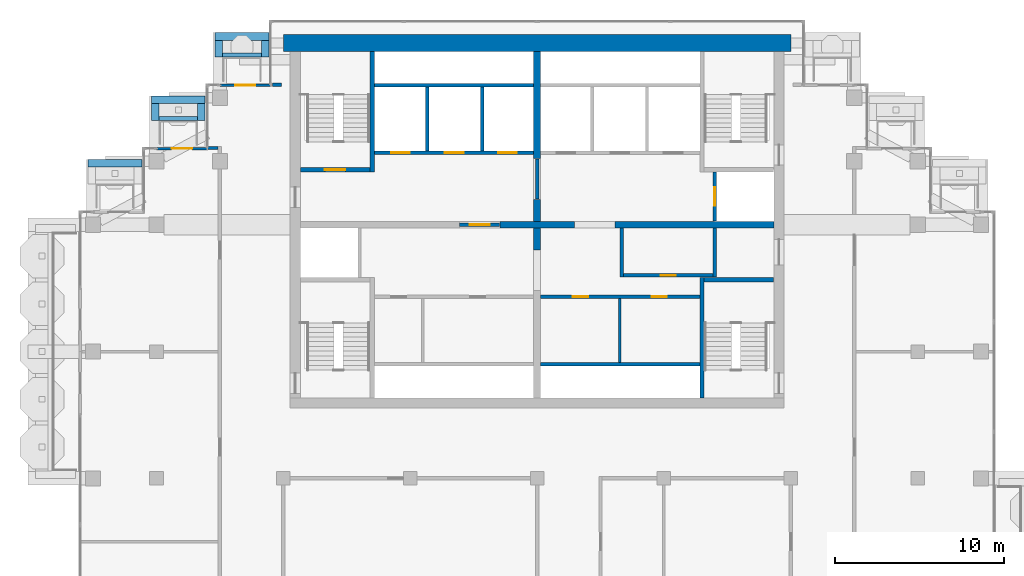
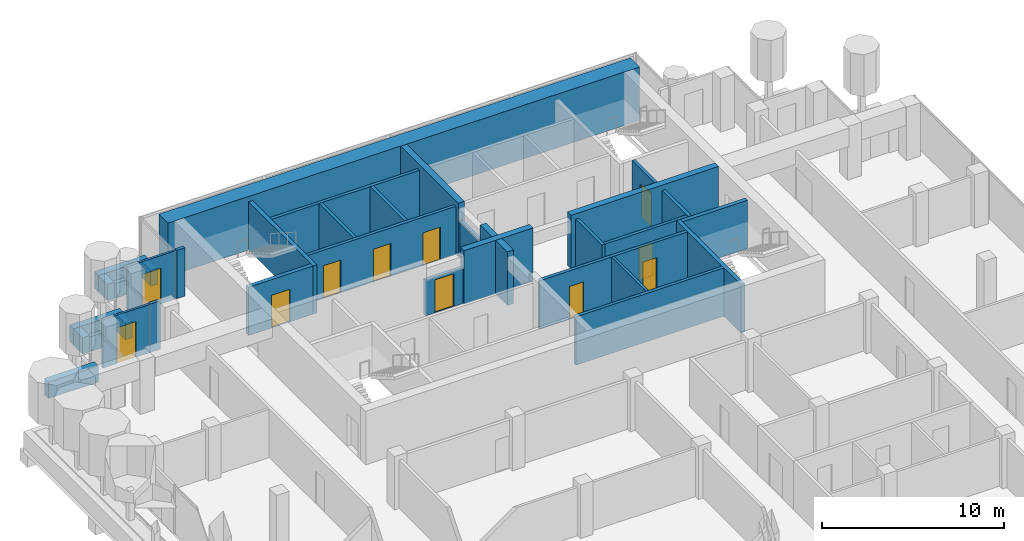
# One storey, part 13 of 18: 36 walls, 11 doors, 11 openings.
"""IFC4 building model written with IfcOpenShell, lengths in metres."""

from ifc_helpers import new_model, si_unit, direction, frame, frame_2d, origin, place, context, subcontext, project, spatial, rectangle, extrude, material, layer, layer_set, type_object, element, fill, save


model = new_model("IFC4")

# Units and contexts
model_context = context("Model", 3, precision=1e-05, world=origin(), true_north=direction((0.0, 1.0)))
body_context = subcontext(model_context, "Body", "Model", "MODEL_VIEW")
ifc_project = project(units=[si_unit("LENGTHUNIT", "METRE"), si_unit("AREAUNIT", "SQUARE_METRE"), si_unit("VOLUMEUNIT", "CUBIC_METRE"), si_unit("PLANEANGLEUNIT", "RADIAN"), si_unit("MASSUNIT", "GRAM", prefix="KILO")], contexts=[model_context])

# Site, building, storey
site_placement = place(None, origin())
site = spatial("IfcSite", under=ifc_project, at=site_placement, CompositionType="ELEMENT")
building_placement = place(site_placement, origin())
building = spatial("IfcBuilding", under=site, at=building_placement, Name="Pilkhan Gate Tower", CompositionType="ELEMENT")
storey_placement = place(building_placement, frame((0.0, 0.0, 249.89990234375)))
storey = spatial("IfcBuildingStorey", under=building, at=storey_placement, Name="L65", CompositionType="ELEMENT", Elevation=249.89990234375)

# Walls
ifc_material_1 = material(Name="Concrete C40/50", Category="concrete")
ifc_layer_1 = layer(ifc_material_1, 0.25)
ifc_layer_set_1 = layer_set([ifc_layer_1], Name="Balcony planter BP250")
wall_type_1 = type_object("IfcWallType", Name="Balcony planter BP250", PredefinedType="USERDEFINED", material=ifc_layer_set_1)
wall_1_placement = place(storey_placement, frame((56.39990234375, 92.52490234375, 0.0), z_axis=(0.0, 0.0, 1.0), x_axis=(1.0, 0.0, 0.0)))
element("IfcWall", 1, at=wall_1_placement, inside=storey, type_object=wall_type_1, Name="Balcony planter L65 N", ObjectType="BALCONY PLANTER", PredefinedType="USERDEFINED", context=body_context, shape_type="SweptSolid", body=[
    extrude(rectangle(XDim=2.300048828125, YDim=0.25, at=frame_2d((1.14990234375, 0.0))), origin(), (0.0, 0.0, 1.0), 1.0),
])
wall_2_placement = place(storey_placement, frame((52.64990234375, 88.77490234375, 0.0), z_axis=(0.0, 0.0, 1.0), x_axis=(1.0, 0.0, 0.0)))
element("IfcWall", 2, at=wall_2_placement, inside=storey, type_object=wall_type_1, Name="Balcony planter L65 N", ObjectType="BALCONY PLANTER", PredefinedType="USERDEFINED", context=body_context, shape_type="SweptSolid", body=[
    extrude(rectangle(XDim=2.280029296875, YDim=0.25, at=frame_2d((1.14013671875, 0.0))), origin(), (0.0, 0.0, 1.0), 1.0),
])
ifc_material_2 = material(Name="Board-marked Concrete C40/50", Category="concrete")
ifc_layer_2 = layer(ifc_material_2, 0.449951171875)
ifc_layer_set_2 = layer_set([ifc_layer_2], Name="Balcony planter lip BL450")
wall_type_2 = type_object("IfcWallType", Name="Balcony planter lip BL450", PredefinedType="USERDEFINED", material=ifc_layer_set_2)
wall_3_placement = place(storey_placement, frame((55.949951171875, 93.625, 0.0), z_axis=(0.0, 0.0, 1.0), x_axis=(1.0, 0.0, 0.0)))
element("IfcWall", 3, at=wall_3_placement, inside=storey, type_object=wall_type_2, Name="Balcony planter L65 N", ObjectType="BALCONY PLANTER", PredefinedType="USERDEFINED", context=body_context, shape_type="SweptSolid", body=[
    extrude(rectangle(XDim=3.199951171875, YDim=0.449951171875, at=frame_2d((1.60009765625, 0.0))), origin(), (0.0, 0.0, 1.0), 1.10009765625),
])
for number, where, z_axis, x_axis, name in (
    (4, (56.175048828125, 92.39990234375, 0.0), (0.0, 0.0, 1.0), (0.0, 1.0, 0.0), "Balcony planter L65 N"),
    (5, (58.925048828125, 92.39990234375, 0.0), (0.0, 0.0, 1.0), (0.0, 1.0, 0.0), "Balcony planter L65 N"),
):
    element("IfcWall", number, at=place(storey_placement, frame(where, z_axis=z_axis, x_axis=x_axis)), inside=storey, type_object=wall_type_2, Name=name, ObjectType="BALCONY PLANTER", PredefinedType="USERDEFINED", context=body_context, shape_type="SweptSolid", body=[
        extrude(rectangle(XDim=1.0, YDim=0.449951171875, at=frame_2d((0.5, 0.0))), origin(), (0.0, 0.0, 1.0), 1.10009765625),
    ])
wall_4_placement = place(storey_placement, frame((52.199951171875, 89.875, 0.0), z_axis=(0.0, 0.0, 1.0), x_axis=(1.0, 0.0, 0.0)))
element("IfcWall", 6, at=wall_4_placement, inside=storey, type_object=wall_type_2, Name="Balcony planter L65 N", ObjectType="BALCONY PLANTER", PredefinedType="USERDEFINED", context=body_context, shape_type="SweptSolid", body=[
    extrude(rectangle(XDim=3.179931640625, YDim=0.449951171875, at=frame_2d((1.58984375, 0.0))), origin(), (0.0, 0.0, 1.0), 1.10009765625),
])
for number, where, z_axis, x_axis, name in (
    (7, (52.425048828125, 88.64990234375, 0.0), (0.0, 0.0, 1.0), (0.0, 1.0, 0.0), "Balcony planter L65 N"),
    (8, (55.155029296875, 88.64990234375, 0.0), (0.0, 0.0, 1.0), (0.0, 1.0, 0.0), "Balcony planter L65 N"),
):
    element("IfcWall", number, at=place(storey_placement, frame(where, z_axis=z_axis, x_axis=x_axis)), inside=storey, type_object=wall_type_2, Name=name, ObjectType="BALCONY PLANTER", PredefinedType="USERDEFINED", context=body_context, shape_type="SweptSolid", body=[
        extrude(rectangle(XDim=1.0, YDim=0.449951171875, at=frame_2d((0.5, 0.0))), origin(), (0.0, 0.0, 1.0), 1.10009765625),
    ])
wall_5_placement = place(storey_placement, frame((48.449951171875, 86.125, 0.0), z_axis=(0.0, 0.0, 1.0), x_axis=(1.0, 0.0, 0.0)))
element("IfcWall", 9, at=wall_5_placement, inside=storey, type_object=wall_type_2, Name="Balcony planter L65 N", ObjectType="BALCONY PLANTER", PredefinedType="USERDEFINED", context=body_context, shape_type="SweptSolid", body=[
    extrude(rectangle(XDim=3.179931640625, YDim=0.449951171875, at=frame_2d((1.58984375, 0.0))), origin(), (0.0, 0.0, 1.0), 1.10009765625),
])
ifc_material_3 = material(Name="Concrete C50/60", Category="concrete")
ifc_layer_3 = layer(ifc_material_3, 1.0)
ifc_layer_set_3 = layer_set([ifc_layer_3], Name="Core wall CW1000 C50/60")
wall_type_3 = type_object("IfcWallType", Name="Core wall CW1000 C50/60", PredefinedType="SHEAR", material=ifc_layer_set_3)
wall_6_placement = place(storey_placement, frame((90.0, 93.25, 0.0), z_axis=(0.0, 0.0, 1.0), x_axis=(-1.0, 0.0, 0.0)))
element("IfcWall", 10, at=wall_6_placement, inside=storey, type_object=wall_type_3, Name="Core wall N L65", PredefinedType="SHEAR", context=body_context, shape_type="SweptSolid", body=[
    extrude(rectangle(XDim=30.0, YDim=1.0, at=frame_2d((15.0, 0.0))), origin(), (0.0, 0.0, 1.0), 3.60009765625),
])
ifc_material_4 = material(Name="Dense blockwork", Category="masonry")
ifc_layer_4 = layer(ifc_material_4, 0.199951171875)
ifc_layer_set_4 = layer_set([ifc_layer_4], Name="Corridor wall FW200")
wall_type_4 = type_object("IfcWallType", Name="Corridor wall FW200", PredefinedType="PARTITIONING", material=ifc_layer_set_4)
wall_7_placement = place(storey_placement, frame((55.510009765625, 87.030029296875, 0.0), z_axis=(0.0, 0.0, 1.0), x_axis=(1.0, 0.0, 0.0)))
element("IfcWall", 11, at=wall_7_placement, inside=storey, type_object=wall_type_4, Name="Partition L65", PredefinedType="PARTITIONING", context=body_context, shape_type="SweptSolid", body=[
    extrude(rectangle(XDim=0.639892578125, YDim=0.199951171875, at=frame_2d((0.31982421875, 0.0))), origin(), (0.0, 0.0, 1.0), 3.25),
])
wall_8_placement = place(storey_placement, frame((59.35498046875, 90.764892578125, 0.0), z_axis=(0.0, 0.0, 1.0), x_axis=(1.0, 0.0, 0.0)))
element("IfcWall", 12, at=wall_8_placement, inside=storey, type_object=wall_type_4, Name="Partition L65", PredefinedType="PARTITIONING", context=body_context, shape_type="SweptSolid", body=[
    extrude(rectangle(XDim=0.52490234375, YDim=0.199951171875, at=frame_2d((0.262451171875, 0.0))), origin(), (0.0, 0.0, 1.0), 3.25),
])

# Wall, opening, door
ifc_material_5 = material(Name="Pale anodised aluminium, clear laminated glazing", Category="aluminium")
ifc_layer_5 = layer(ifc_material_5, 0.14990234375)
ifc_layer_set_5 = layer_set([ifc_layer_5], Name="Facade infill wall IW150")
wall_type_5 = type_object("IfcWallType", Name="Facade infill wall IW150", PredefinedType="SOLIDWALL", material=ifc_layer_set_5)
wall_9_placement = place(storey_placement, frame((56.25, 90.75, 0.0), z_axis=(0.0, 0.0, 1.0), x_axis=(1.0, 0.0, 0.0)))
wall_9 = element("IfcWall", 13, at=wall_9_placement, inside=storey, type_object=wall_type_5, Name="Infill wall L65 N", PredefinedType="SOLIDWALL", context=body_context, shape_type="SweptSolid", body=[
    extrude(rectangle(XDim=3.0, YDim=0.14990234375, at=frame_2d((1.5, 0.0))), origin(), (0.0, 0.0, 1.0), 3.25),
])
opening_1_placement = place(wall_9_placement, frame((0.89990234375, 0.0, 0.0)))
opening_1 = element("IfcOpeningElement", 14, at=opening_1_placement, cuts=wall_9, Name="Opening D1", PredefinedType="OPENING", context=body_context, shape_type="SweptSolid", body=[
    extrude(rectangle(XDim=1.199951171875, YDim=2.39990234375, at=frame_2d((0.60009765625, 1.199951171875))), frame((0.0, 0.0849609375, 0.0), z_axis=(0.0, -1.0, 0.0), x_axis=(1.0, 0.0, 0.0)), (0.0, 0.0, 1.0), 0.169921875),
])
ifc_material_6 = material(Name="Pale anodised aluminium, clear glazing", Category="aluminium")
door_type_1 = type_object("IfcDoorType", Name="Balcony door D1 1200x2400", OperationType="SINGLE_SWING_LEFT", PredefinedType="DOOR", material=ifc_material_6)
door_1_placement = place(opening_1_placement, origin())
door_1 = element("IfcDoor", 15, at=door_1_placement, inside=storey, type_object=door_type_1, Name="Balcony door L65", OperationType="SINGLE_SWING_LEFT", OverallHeight=2.39990234375, OverallWidth=1.199951171875, PredefinedType="DOOR", context=body_context, shape_type="SweptSolid", body=[
    extrude(rectangle(XDim=1.199951171875, YDim=2.39990234375, at=frame_2d((0.60009765625, 1.199951171875))), frame((0.0, 0.02490234375, 0.0), z_axis=(0.0, -1.0, 0.0), x_axis=(1.0, 0.0, 0.0)), (0.0, 0.0, 1.0), 0.050048828125),
])
fill(opening_1, door_1)

wall_10_placement = place(storey_placement, frame((52.5, 87.0, 0.0), z_axis=(0.0, 0.0, 1.0), x_axis=(1.0, 0.0, 0.0)))
wall_10 = element("IfcWall", 16, at=wall_10_placement, inside=storey, type_object=wall_type_5, Name="Infill wall L65 N", PredefinedType="SOLIDWALL", context=body_context, shape_type="SweptSolid", body=[
    extrude(rectangle(XDim=3.0, YDim=0.14990234375, at=frame_2d((1.5, 0.0))), origin(), (0.0, 0.0, 1.0), 3.25),
])
opening_2_placement = place(wall_10_placement, frame((0.89990234375, 0.0, 0.0)))
opening_2 = element("IfcOpeningElement", 17, at=opening_2_placement, cuts=wall_10, Name="Opening D1", PredefinedType="OPENING", context=body_context, shape_type="SweptSolid", body=[
    extrude(rectangle(XDim=1.199951171875, YDim=2.39990234375, at=frame_2d((0.60009765625, 1.199951171875))), frame((0.0, 0.0849609375, 0.0), z_axis=(0.0, -1.0, 0.0), x_axis=(1.0, 0.0, 0.0)), (0.0, 0.0, 1.0), 0.169921875),
])
door_2_placement = place(opening_2_placement, origin())
door_2 = element("IfcDoor", 18, at=door_2_placement, inside=storey, type_object=door_type_1, Name="Balcony door L65", OperationType="SINGLE_SWING_LEFT", OverallHeight=2.39990234375, OverallWidth=1.199951171875, PredefinedType="DOOR", context=body_context, shape_type="SweptSolid", body=[
    extrude(rectangle(XDim=1.199951171875, YDim=2.39990234375, at=frame_2d((0.60009765625, 1.199951171875))), frame((0.0, 0.02490234375, 0.0), z_axis=(0.0, -1.0, 0.0), x_axis=(1.0, 0.0, 0.0)), (0.0, 0.0, 1.0), 0.050048828125),
])
fill(opening_2, door_2)

# Wall
ifc_layer_6 = layer(ifc_material_4, 0.199951171875)
ifc_layer_set_6 = layer_set([ifc_layer_6], Name="Lobby wall LW200")
wall_type_6 = type_object("IfcWallType", Name="Lobby wall LW200", PredefinedType="PARTITIONING", material=ifc_layer_set_6)
wall_11_placement = place(storey_placement, frame((75.2099609375, 74.25, 0.0), z_axis=(0.0, 0.0, 1.0), x_axis=(1.0, 0.0, 0.0)))
element("IfcWall", 19, at=wall_11_placement, inside=storey, type_object=wall_type_6, Name="Partition L65", PredefinedType="PARTITIONING", context=body_context, shape_type="SweptSolid", body=[
    extrude(rectangle(XDim=9.4150390625, YDim=0.199951171875, at=frame_2d((4.70751953125, 0.0))), origin(), (0.0, 0.0, 1.0), 3.25),
])

# Wall, openings, doors
wall_12_placement = place(storey_placement, frame((75.2099609375, 78.25, 0.0), z_axis=(0.0, 0.0, 1.0), x_axis=(1.0, 0.0, 0.0)))
wall_12 = element("IfcWall", 20, at=wall_12_placement, inside=storey, type_object=wall_type_6, Name="Partition L65", PredefinedType="PARTITIONING", context=body_context, shape_type="SweptSolid", body=[
    extrude(rectangle(XDim=9.4150390625, YDim=0.199951171875, at=frame_2d((4.70751953125, 0.0))), origin(), (0.0, 0.0, 1.0), 3.25),
])
opening_3_placement = place(wall_12_placement, frame((1.89990234375, 0.0, 0.0)))
opening_3 = element("IfcOpeningElement", 21, at=opening_3_placement, cuts=wall_12, Name="Opening L65-11", PredefinedType="OPENING", context=body_context, shape_type="SweptSolid", body=[
    extrude(rectangle(XDim=0.89990234375, YDim=2.199951171875, at=frame_2d((0.449951171875, 1.10009765625))), frame((0.0, 0.10986328125, 0.0), z_axis=(0.0, -1.0, 0.0), x_axis=(1.0, 0.0, 0.0)), (0.0, 0.0, 1.0), 0.219970703125),
])
opening_4_placement = place(wall_12_placement, frame((6.56494140625, 0.0, 0.0)))
opening_4 = element("IfcOpeningElement", 22, at=opening_4_placement, cuts=wall_12, Name="Opening L65-12", PredefinedType="OPENING", context=body_context, shape_type="SweptSolid", body=[
    extrude(rectangle(XDim=0.89990234375, YDim=2.199951171875, at=frame_2d((0.449951171875, 1.10009765625))), frame((0.0, 0.10986328125, 0.0), z_axis=(0.0, -1.0, 0.0), x_axis=(1.0, 0.0, 0.0)), (0.0, 0.0, 1.0), 0.219970703125),
])
ifc_material_7 = material(Name="Timber flush door, 60 minute fire resisting, self-closing", Category="wood")
door_type_2 = type_object("IfcDoorType", Name="Store door D05 900x2200", OperationType="SINGLE_SWING_LEFT", PredefinedType="DOOR", material=ifc_material_7)
door_3_placement = place(opening_3_placement, origin())
door_3 = element("IfcDoor", 23, at=door_3_placement, inside=storey, type_object=door_type_2, Name="Store door", OperationType="SINGLE_SWING_LEFT", OverallHeight=2.199951171875, OverallWidth=0.89990234375, PredefinedType="DOOR", context=body_context, shape_type="SweptSolid", body=[
    extrude(rectangle(XDim=0.89990234375, YDim=2.199951171875, at=frame_2d((0.449951171875, 1.10009765625))), frame((0.0, 0.02490234375, 0.0), z_axis=(0.0, -1.0, 0.0), x_axis=(1.0, 0.0, 0.0)), (0.0, 0.0, 1.0), 0.050048828125),
])
fill(opening_3, door_3)
door_4_placement = place(opening_4_placement, origin())
door_4 = element("IfcDoor", 24, at=door_4_placement, inside=storey, type_object=door_type_2, Name="Store door", OperationType="SINGLE_SWING_RIGHT", OverallHeight=2.199951171875, OverallWidth=0.89990234375, PredefinedType="DOOR", context=body_context, shape_type="SweptSolid", body=[
    extrude(rectangle(XDim=0.89990234375, YDim=2.199951171875, at=frame_2d((0.449951171875, 1.10009765625))), frame((0.0, 0.02490234375, 0.0), z_axis=(0.0, -1.0, 0.0), x_axis=(1.0, 0.0, 0.0)), (0.0, 0.0, 1.0), 0.050048828125),
])
fill(opening_4, door_4)

# Wall, opening, door
wall_13_placement = place(storey_placement, frame((80.10009765625, 79.5, 0.0), z_axis=(0.0, 0.0, 1.0), x_axis=(1.0, 0.0, 0.0)))
wall_13 = element("IfcWall", 25, at=wall_13_placement, inside=storey, type_object=wall_type_6, Name="Partition L65", PredefinedType="PARTITIONING", context=body_context, shape_type="SweptSolid", body=[
    extrude(rectangle(XDim=5.2998046875, YDim=0.199951171875, at=frame_2d((2.64990234375, 0.0))), origin(), (0.0, 0.0, 1.0), 3.25),
])
opening_5_placement = place(wall_13_placement, frame((2.199951171875, 0.0, 0.0)))
opening_5 = element("IfcOpeningElement", 26, at=opening_5_placement, cuts=wall_13, Name="Opening L65-07", PredefinedType="OPENING", context=body_context, shape_type="SweptSolid", body=[
    extrude(rectangle(XDim=0.89990234375, YDim=2.199951171875, at=frame_2d((0.449951171875, 1.10009765625))), frame((0.0, 0.10986328125, 0.0), z_axis=(0.0, -1.0, 0.0), x_axis=(1.0, 0.0, 0.0)), (0.0, 0.0, 1.0), 0.219970703125),
])
door_5_placement = place(opening_5_placement, origin())
door_5 = element("IfcDoor", 27, at=door_5_placement, inside=storey, type_object=door_type_2, Name="Store door", OperationType="SINGLE_SWING_RIGHT", OverallHeight=2.199951171875, OverallWidth=0.89990234375, PredefinedType="DOOR", context=body_context, shape_type="SweptSolid", body=[
    extrude(rectangle(XDim=0.89990234375, YDim=2.199951171875, at=frame_2d((0.449951171875, 1.10009765625))), frame((0.0, 0.02490234375, 0.0), z_axis=(0.0, -1.0, 0.0), x_axis=(1.0, 0.0, 0.0)), (0.0, 0.0, 1.0), 0.050048828125),
])
fill(opening_5, door_5)

wall_14_placement = place(storey_placement, frame((70.409912109375, 82.5, 0.0), z_axis=(0.0, 0.0, 1.0), x_axis=(1.0, 0.0, 0.0)))
wall_14 = element("IfcWall", 28, at=wall_14_placement, inside=storey, type_object=wall_type_6, Name="Partition L65", PredefinedType="PARTITIONING", context=body_context, shape_type="SweptSolid", body=[
    extrude(rectangle(XDim=2.380126953125, YDim=0.199951171875, at=frame_2d((1.18994140625, 0.0))), origin(), (0.0, 0.0, 1.0), 2.400146484375),
])
opening_6_placement = place(wall_14_placement, frame((0.60009765625, 0.0, 0.0)))
opening_6 = element("IfcOpeningElement", 29, at=opening_6_placement, cuts=wall_14, Name="Opening L65-01", PredefinedType="OPENING", context=body_context, shape_type="SweptSolid", body=[
    extrude(rectangle(XDim=1.199951171875, YDim=2.199951171875, at=frame_2d((0.60009765625, 1.10009765625))), frame((0.0, 0.10986328125, 0.0), z_axis=(0.0, -1.0, 0.0), x_axis=(1.0, 0.0, 0.0)), (0.0, 0.0, 1.0), 0.219970703125),
])
ifc_material_8 = material(Name="Steel door, 120 minute fire resisting, self-closing", Category="steel")
door_type_3 = type_object("IfcDoorType", Name="Firefighting lobby door D10 1200x2200", OperationType="SINGLE_SWING_LEFT", PredefinedType="DOOR", material=ifc_material_8)
door_6_placement = place(opening_6_placement, origin())
door_6 = element("IfcDoor", 30, at=door_6_placement, inside=storey, type_object=door_type_3, Name="Firefighting lobby door", OperationType="SINGLE_SWING_LEFT", OverallHeight=2.199951171875, OverallWidth=1.199951171875, PredefinedType="DOOR", context=body_context, shape_type="SweptSolid", body=[
    extrude(rectangle(XDim=1.199951171875, YDim=2.199951171875, at=frame_2d((0.60009765625, 1.10009765625))), frame((0.0, 0.02490234375, 0.0), z_axis=(0.0, -1.0, 0.0), x_axis=(1.0, 0.0, 0.0)), (0.0, 0.0, 1.0), 0.050048828125),
])
fill(opening_6, door_6)

# Walls
wall_15_placement = place(storey_placement, frame((75.0, 84.010009765625, 0.0), z_axis=(0.0, 0.0, 1.0), x_axis=(0.0, 1.0, 0.0)))
element("IfcWall", 31, at=wall_15_placement, inside=storey, type_object=wall_type_6, Name="Partition L65", PredefinedType="PARTITIONING", context=body_context, shape_type="SweptSolid", body=[
    extrude(rectangle(XDim=2.3798828125, YDim=0.199951171875, at=frame_2d((1.18994140625, 0.0))), origin(), (0.0, 0.0, 1.0), 2.400146484375),
])
for number, where, z_axis, x_axis, name in (
    (32, (80.0, 79.39990234375, 0.0), (0.0, 0.0, 1.0), (0.0, 1.0, 0.0), "Partition L65"),
    (33, (85.5, 79.39990234375, 0.0), (0.0, 0.0, 1.0), (0.0, 1.0, 0.0), "Partition L65"),
):
    element("IfcWall", number, at=place(storey_placement, frame(where, z_axis=z_axis, x_axis=x_axis)), inside=storey, type_object=wall_type_6, Name=name, PredefinedType="PARTITIONING", context=body_context, shape_type="SweptSolid", body=[
        extrude(rectangle(XDim=2.89013671875, YDim=0.199951171875, at=frame_2d((1.445068359375, 0.0))), origin(), (0.0, 0.0, 1.0), 3.25),
    ])
ifc_material_9 = material(Name="Blockwork partition, plastered both sides", Category="masonry")
ifc_layer_7 = layer(ifc_material_9, 0.14990234375)
ifc_layer_set_7 = layer_set([ifc_layer_7], Name="Partition PW150")
wall_type_7 = type_object("IfcWallType", Name="Partition PW150", PredefinedType="PARTITIONING", material=ifc_layer_set_7)
wall_16_placement = place(storey_placement, frame((79.875, 74.35009765625, 0.0), z_axis=(0.0, 0.0, 1.0), x_axis=(0.0, 1.0, 0.0)))
element("IfcWall", 34, at=wall_16_placement, inside=storey, type_object=wall_type_7, Name="Partition L65", PredefinedType="PARTITIONING", context=body_context, shape_type="SweptSolid", body=[
    extrude(rectangle(XDim=3.7998046875, YDim=0.14990234375, at=frame_2d((1.89990234375, 0.0))), origin(), (0.0, 0.0, 1.0), 3.25),
])

# Wall, openings, doors
ifc_material_10 = material(Name="Reinforced blockwork shaft wall, 120 minute fire resisting", Category="masonry")
ifc_layer_8 = layer(ifc_material_10, 0.199951171875)
ifc_layer_set_8 = layer_set([ifc_layer_8], Name="Shaft wall SW200")
wall_type_8 = type_object("IfcWallType", Name="Shaft wall SW200", PredefinedType="PARTITIONING", material=ifc_layer_set_8)
wall_17_placement = place(storey_placement, frame((65.375, 86.75, 0.0), z_axis=(0.0, 0.0, 1.0), x_axis=(1.0, 0.0, 0.0)))
wall_17 = element("IfcWall", 35, at=wall_17_placement, inside=storey, type_object=wall_type_8, Name="Partition L65", PredefinedType="PARTITIONING", context=body_context, shape_type="SweptSolid", body=[
    extrude(rectangle(XDim=9.4150390625, YDim=0.199951171875, at=frame_2d((4.70751953125, 0.0))), origin(), (0.0, 0.0, 1.0), 3.25),
])
opening_7_placement = place(wall_17_placement, frame((1.0, 0.0, 0.0)))
opening_7 = element("IfcOpeningElement", 36, at=opening_7_placement, cuts=wall_17, Name="Opening LD", PredefinedType="OPENING", context=body_context, shape_type="SweptSolid", body=[
    extrude(rectangle(XDim=1.10009765625, YDim=2.199951171875, at=frame_2d((0.550048828125, 1.10009765625))), frame((0.0, 0.10986328125, 0.0), z_axis=(0.0, -1.0, 0.0), x_axis=(1.0, 0.0, 0.0)), (0.0, 0.0, 1.0), 0.219970703125),
])
opening_8_placement = place(wall_17_placement, frame((4.175048828125, 0.0, 0.0)))
opening_8 = element("IfcOpeningElement", 37, at=opening_8_placement, cuts=wall_17, Name="Opening LD", PredefinedType="OPENING", context=body_context, shape_type="SweptSolid", body=[
    extrude(rectangle(XDim=1.10009765625, YDim=2.199951171875, at=frame_2d((0.550048828125, 1.10009765625))), frame((0.0, 0.10986328125, 0.0), z_axis=(0.0, -1.0, 0.0), x_axis=(1.0, 0.0, 0.0)), (0.0, 0.0, 1.0), 0.219970703125),
])
opening_9_placement = place(wall_17_placement, frame((7.324951171875, 0.0, 0.0)))
opening_9 = element("IfcOpeningElement", 38, at=opening_9_placement, cuts=wall_17, Name="Opening LD", PredefinedType="OPENING", context=body_context, shape_type="SweptSolid", body=[
    extrude(rectangle(XDim=1.10009765625, YDim=2.199951171875, at=frame_2d((0.550048828125, 1.10009765625))), frame((0.0, 0.10986328125, 0.0), z_axis=(0.0, -1.0, 0.0), x_axis=(1.0, 0.0, 0.0)), (0.0, 0.0, 1.0), 0.219970703125),
])
ifc_material_11 = material(Name="Stainless steel centre-opening landing door, 120 minute fire resisting", Category="steel")
door_type_4 = type_object("IfcDoorType", Name="Lift landing door LD 1100x2200", OperationType="DOUBLE_DOOR_SLIDING", PredefinedType="DOOR", material=ifc_material_11)
door_7_placement = place(opening_7_placement, origin())
door_7 = element("IfcDoor", 39, at=door_7_placement, inside=storey, type_object=door_type_4, Name="Landing door FF1", OperationType="DOUBLE_DOOR_SLIDING", OverallHeight=2.199951171875, OverallWidth=1.10009765625, PredefinedType="DOOR", context=body_context, shape_type="SweptSolid", body=[
    extrude(rectangle(XDim=1.10009765625, YDim=2.199951171875, at=frame_2d((0.550048828125, 1.10009765625))), frame((0.0, 0.02490234375, 0.0), z_axis=(0.0, -1.0, 0.0), x_axis=(1.0, 0.0, 0.0)), (0.0, 0.0, 1.0), 0.050048828125),
])
fill(opening_7, door_7)
door_8_placement = place(opening_8_placement, origin())
door_8 = element("IfcDoor", 40, at=door_8_placement, inside=storey, type_object=door_type_4, Name="Landing door FF2", OperationType="DOUBLE_DOOR_SLIDING", OverallHeight=2.199951171875, OverallWidth=1.10009765625, PredefinedType="DOOR", context=body_context, shape_type="SweptSolid", body=[
    extrude(rectangle(XDim=1.10009765625, YDim=2.199951171875, at=frame_2d((0.550048828125, 1.10009765625))), frame((0.0, 0.02490234375, 0.0), z_axis=(0.0, -1.0, 0.0), x_axis=(1.0, 0.0, 0.0)), (0.0, 0.0, 1.0), 0.050048828125),
])
fill(opening_8, door_8)
door_9_placement = place(opening_9_placement, origin())
door_9 = element("IfcDoor", 41, at=door_9_placement, inside=storey, type_object=door_type_4, Name="Landing door SV1", OperationType="DOUBLE_DOOR_SLIDING", OverallHeight=2.199951171875, OverallWidth=1.10009765625, PredefinedType="DOOR", context=body_context, shape_type="SweptSolid", body=[
    extrude(rectangle(XDim=1.10009765625, YDim=2.199951171875, at=frame_2d((0.550048828125, 1.10009765625))), frame((0.0, 0.02490234375, 0.0), z_axis=(0.0, -1.0, 0.0), x_axis=(1.0, 0.0, 0.0)), (0.0, 0.0, 1.0), 0.050048828125),
])
fill(opening_9, door_9)

# Walls
wall_18_placement = place(storey_placement, frame((65.375, 90.75, 0.0), z_axis=(0.0, 0.0, 1.0), x_axis=(1.0, 0.0, 0.0)))
element("IfcWall", 42, at=wall_18_placement, inside=storey, type_object=wall_type_8, Name="Partition L65", PredefinedType="PARTITIONING", context=body_context, shape_type="SweptSolid", body=[
    extrude(rectangle(XDim=9.4150390625, YDim=0.199951171875, at=frame_2d((4.70751953125, 0.0))), origin(), (0.0, 0.0, 1.0), 3.25),
])
for number, where, z_axis, x_axis, name in (
    (43, (68.5, 86.85009765625, 0.0), (0.0, 0.0, 1.0), (0.0, 1.0, 0.0), "Partition L65"),
    (44, (71.75, 86.85009765625, 0.0), (0.0, 0.0, 1.0), (0.0, 1.0, 0.0), "Partition L65"),
):
    element("IfcWall", number, at=place(storey_placement, frame(where, z_axis=z_axis, x_axis=x_axis)), inside=storey, type_object=wall_type_8, Name=name, PredefinedType="PARTITIONING", context=body_context, shape_type="SweptSolid", body=[
        extrude(rectangle(XDim=3.7998046875, YDim=0.199951171875, at=frame_2d((1.89990234375, 0.0))), origin(), (0.0, 0.0, 1.0), 3.25),
    ])

# Wall, opening, door
wall_19_placement = place(storey_placement, frame((85.5, 82.7099609375, 0.0), z_axis=(0.0, 0.0, 1.0), x_axis=(0.0, 1.0, 0.0)))
wall_19 = element("IfcWall", 45, at=wall_19_placement, inside=storey, type_object=wall_type_8, Name="Partition L65", PredefinedType="PARTITIONING", context=body_context, shape_type="SweptSolid", body=[
    extrude(rectangle(XDim=2.9150390625, YDim=0.199951171875, at=frame_2d((1.45751953125, 0.0))), origin(), (0.0, 0.0, 1.0), 3.25),
])
opening_10_placement = place(wall_19_placement, frame((0.89990234375, 0.0, 0.0)))
opening_10 = element("IfcOpeningElement", 46, at=opening_10_placement, cuts=wall_19, Name="Opening LD", PredefinedType="OPENING", context=body_context, shape_type="SweptSolid", body=[
    extrude(rectangle(XDim=1.10009765625, YDim=2.199951171875, at=frame_2d((0.550048828125, 1.10009765625))), frame((0.0, 0.10986328125, 0.0), z_axis=(0.0, -1.0, 0.0), x_axis=(1.0, 0.0, 0.0)), (0.0, 0.0, 1.0), 0.219970703125),
])
door_10_placement = place(opening_10_placement, origin())
door_10 = element("IfcDoor", 47, at=door_10_placement, inside=storey, type_object=door_type_4, Name="Landing door HR4", OperationType="DOUBLE_DOOR_SLIDING", OverallHeight=2.199951171875, OverallWidth=1.10009765625, PredefinedType="DOOR", context=body_context, shape_type="SweptSolid", body=[
    extrude(rectangle(XDim=1.10009765625, YDim=2.199951171875, at=frame_2d((0.550048828125, 1.10009765625))), frame((0.0, 0.02490234375, 0.0), z_axis=(0.0, -1.0, 0.0), x_axis=(1.0, 0.0, 0.0)), (0.0, 0.0, 1.0), 0.050048828125),
])
fill(opening_10, door_10)

# Walls
ifc_layer_9 = layer(ifc_material_3, 0.39990234375)
ifc_layer_set_9 = layer_set([ifc_layer_9], Name="Spine wall SW400 C50/60")
wall_type_9 = type_object("IfcWallType", Name="Spine wall SW400 C50/60", PredefinedType="SHEAR", material=ifc_layer_set_9)
wall_20_placement = place(storey_placement, frame((72.800048828125, 82.5, 0.0), z_axis=(0.0, 0.0, 1.0), x_axis=(1.0, 0.0, 0.0)))
element("IfcWall", 48, at=wall_20_placement, inside=storey, type_object=wall_type_9, Name="Spine wall SP-EW2 L65", PredefinedType="SHEAR", context=body_context, shape_type="SweptSolid", body=[
    extrude(rectangle(XDim=4.39990234375, YDim=0.39990234375, at=frame_2d((2.199951171875, 0.0))), origin(), (0.0, 0.0, 1.0), 3.60009765625),
])
wall_21_placement = place(storey_placement, frame((79.60009765625, 82.5, 0.0), z_axis=(0.0, 0.0, 1.0), x_axis=(1.0, 0.0, 0.0)))
element("IfcWall", 49, at=wall_21_placement, inside=storey, type_object=wall_type_9, Name="Spine wall SP-EW3 L65", PredefinedType="SHEAR", context=body_context, shape_type="SweptSolid", body=[
    extrude(rectangle(XDim=9.39990234375, YDim=0.39990234375, at=frame_2d((4.699951171875, 0.0))), origin(), (0.0, 0.0, 1.0), 3.60009765625),
])
for number, where, z_axis, x_axis, name in (
    (50, (75.0, 81.0, 0.0), (0.0, 0.0, 1.0), (0.0, 1.0, 0.0), "Spine wall SP-NS-S2 L65"),
    (51, (75.0, 82.699951171875, 0.0), (0.0, 0.0, 1.0), (0.0, 1.0, 0.0), "Spine wall SP-NS-N1 L65"),
):
    element("IfcWall", number, at=place(storey_placement, frame(where, z_axis=z_axis, x_axis=x_axis)), inside=storey, type_object=wall_type_9, Name=name, PredefinedType="SHEAR", context=body_context, shape_type="SweptSolid", body=[
        extrude(rectangle(XDim=1.300048828125, YDim=0.39990234375, at=frame_2d((0.64990234375, 0.0))), origin(), (0.0, 0.0, 1.0), 3.60009765625),
    ])
wall_22_placement = place(storey_placement, frame((75.0, 86.39990234375, 0.0), z_axis=(0.0, 0.0, 1.0), x_axis=(0.0, 1.0, 0.0)))
element("IfcWall", 52, at=wall_22_placement, inside=storey, type_object=wall_type_9, Name="Spine wall SP-NS-N2 L65", PredefinedType="SHEAR", context=body_context, shape_type="SweptSolid", body=[
    extrude(rectangle(XDim=6.35009765625, YDim=0.39990234375, at=frame_2d((3.175048828125, 0.0))), origin(), (0.0, 0.0, 1.0), 3.60009765625),
])
ifc_material_12 = material(Name="Reinforced blockwork, 120 minute fire resisting", Category="masonry")
ifc_layer_10 = layer(ifc_material_12, 0.25)
ifc_layer_set_10 = layer_set([ifc_layer_10], Name="Stair enclosure wall SE250")
wall_type_10 = type_object("IfcWallType", Name="Stair enclosure wall SE250", PredefinedType="PARTITIONING", material=ifc_layer_set_10)
wall_23_placement = place(storey_placement, frame((84.875, 79.25, 0.0), z_axis=(0.0, 0.0, 1.0), x_axis=(1.0, 0.0, 0.0)))
element("IfcWall", 53, at=wall_23_placement, inside=storey, type_object=wall_type_10, Name="Partition L65", PredefinedType="PARTITIONING", context=body_context, shape_type="SweptSolid", body=[
    extrude(rectangle(XDim=4.114990234375, YDim=0.25, at=frame_2d((2.0576171875, 0.0))), origin(), (0.0, 0.0, 1.0), 3.25),
])

# Wall, opening, door
wall_24_placement = place(storey_placement, frame((61.010009765625, 85.75, 0.0), z_axis=(0.0, 0.0, 1.0), x_axis=(1.0, 0.0, 0.0)))
wall_24 = element("IfcWall", 54, at=wall_24_placement, inside=storey, type_object=wall_type_10, Name="Partition L65", PredefinedType="PARTITIONING", context=body_context, shape_type="SweptSolid", body=[
    extrude(rectangle(XDim=4.114990234375, YDim=0.25, at=frame_2d((2.0576171875, 0.0))), origin(), (0.0, 0.0, 1.0), 3.25),
])
opening_11_placement = place(wall_24_placement, frame((1.449951171875, 0.0, 0.0)))
opening_11 = element("IfcOpeningElement", 55, at=opening_11_placement, cuts=wall_24, Name="Opening L65-02", PredefinedType="OPENING", context=body_context, shape_type="SweptSolid", body=[
    extrude(rectangle(XDim=1.199951171875, YDim=2.199951171875, at=frame_2d((0.60009765625, 1.10009765625))), frame((0.0, 0.135009765625, 0.0), z_axis=(0.0, -1.0, 0.0), x_axis=(1.0, 0.0, 0.0)), (0.0, 0.0, 1.0), 0.27001953125),
])
ifc_material_13 = material(Name="Steel door, 120 minute fire resisting, panic bar", Category="steel")
door_type_5 = type_object("IfcDoorType", Name="Stair door D11 1200x2200", OperationType="SINGLE_SWING_LEFT", PredefinedType="DOOR", material=ifc_material_13)
door_11_placement = place(opening_11_placement, origin())
door_11 = element("IfcDoor", 56, at=door_11_placement, inside=storey, type_object=door_type_5, Name="Stair ST3 lobby door", OperationType="SINGLE_SWING_LEFT", OverallHeight=2.199951171875, OverallWidth=1.199951171875, PredefinedType="DOOR", context=body_context, shape_type="SweptSolid", body=[
    extrude(rectangle(XDim=1.199951171875, YDim=2.199951171875, at=frame_2d((0.60009765625, 1.10009765625))), frame((0.0, 0.02490234375, 0.0), z_axis=(0.0, -1.0, 0.0), x_axis=(1.0, 0.0, 0.0)), (0.0, 0.0, 1.0), 0.050048828125),
])
fill(opening_11, door_11)

# Walls
for number, where, z_axis, x_axis, name in (
    (57, (65.25, 85.625, 0.0), (0.0, 0.0, 1.0), (0.0, 1.0, 0.0), "Partition L65"),
    (58, (84.75, 72.260009765625, 0.0), (0.0, 0.0, 1.0), (0.0, 1.0, 0.0), "Partition L65"),
):
    element("IfcWall", number, at=place(storey_placement, frame(where, z_axis=z_axis, x_axis=x_axis)), inside=storey, type_object=wall_type_10, Name=name, PredefinedType="PARTITIONING", context=body_context, shape_type="SweptSolid", body=[
        extrude(rectangle(XDim=7.114990234375, YDim=0.25, at=frame_2d((3.5576171875, 0.0))), origin(), (0.0, 0.0, 1.0), 3.25),
    ])

save(model, "model.ifc")
